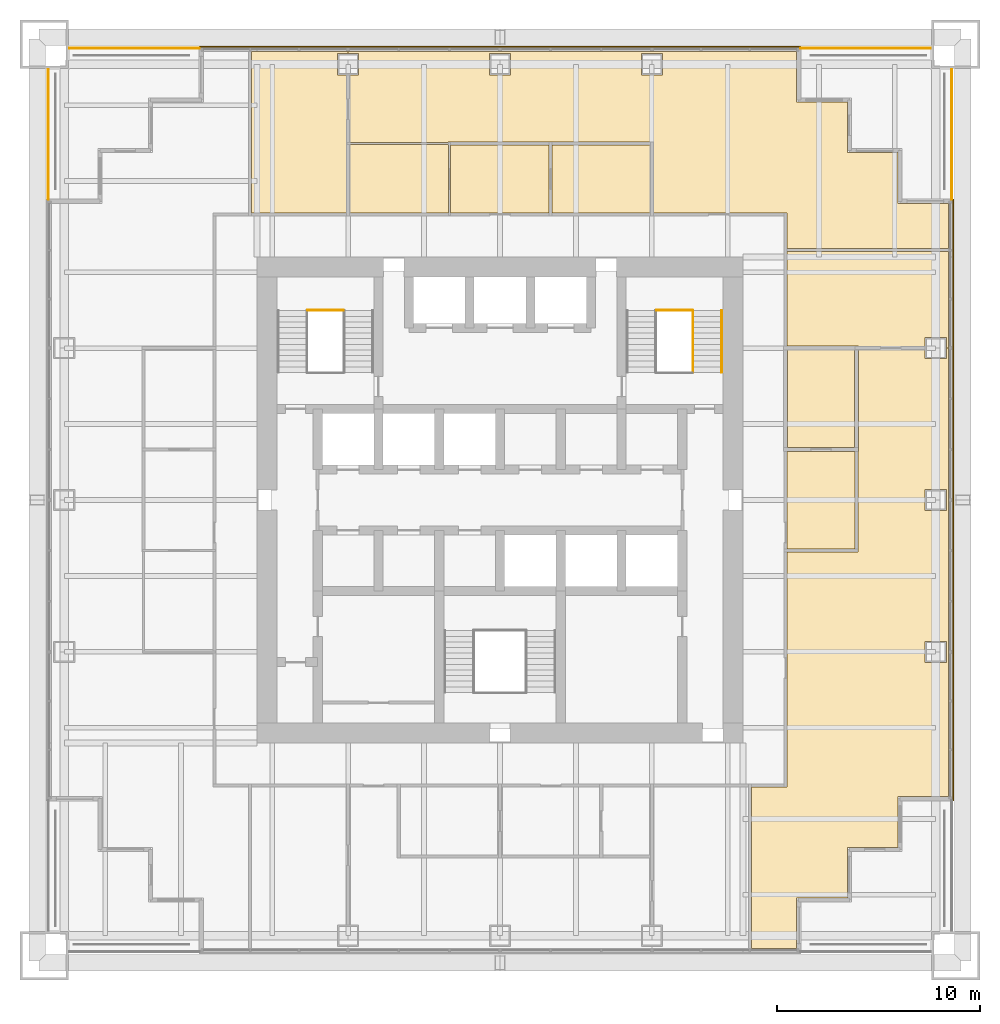
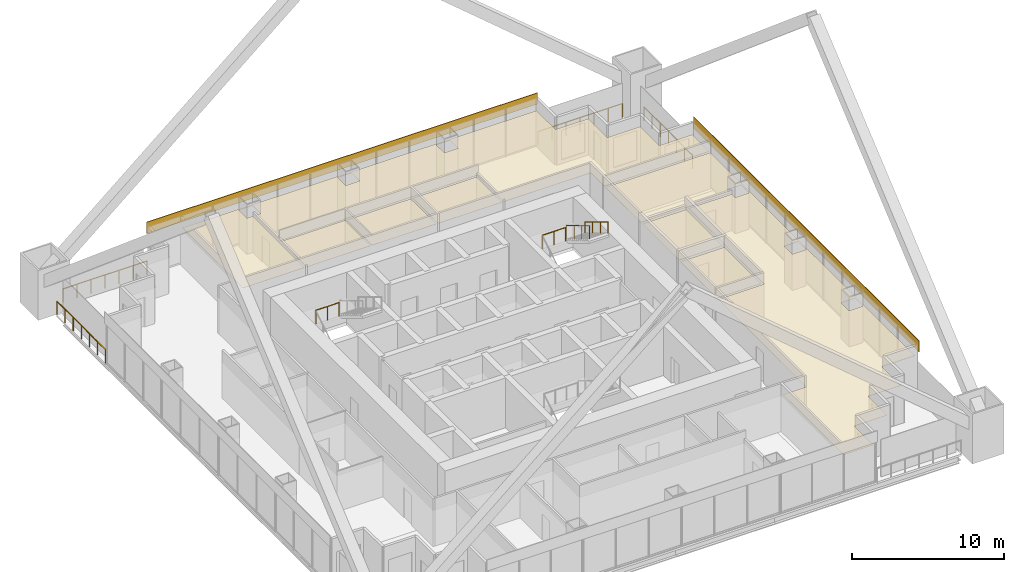
# One storey, part 19 of 19: 11 coverings, 8 railings.
"""IFC4 building model written with IfcOpenShell, lengths in metres."""

from ifc_helpers import new_model, si_unit, direction, frame, origin, origin_2d, place, context, subcontext, project, spatial, polyline, rectangle, circle, outline, extrude, material, layer, layer_set, type_object, element, save


model = new_model("IFC4")

# Units and contexts
model_context = context("Model", 3, precision=1e-05, world=origin(), true_north=direction((0.0, 1.0)))
body_context = subcontext(model_context, "Body", "Model", "MODEL_VIEW")
ifc_project = project(units=[si_unit("LENGTHUNIT", "METRE"), si_unit("AREAUNIT", "SQUARE_METRE"), si_unit("VOLUMEUNIT", "CUBIC_METRE"), si_unit("PLANEANGLEUNIT", "RADIAN"), si_unit("MASSUNIT", "GRAM", prefix="KILO")], contexts=[model_context])

# Site, building, storey
site_placement = place(None, origin())
site = spatial("IfcSite", under=ifc_project, at=site_placement, CompositionType="ELEMENT")
building_placement = place(site_placement, origin())
building = spatial("IfcBuilding", under=site, at=building_placement, Name="Tarangal Relay Tower", CompositionType="ELEMENT")
storey_placement = place(building_placement, frame((0.0, 0.0, 213.89990234375)))
storey = spatial("IfcBuildingStorey", under=building, at=storey_placement, Name="L45", CompositionType="ELEMENT", Elevation=213.89990234375)

# Coverings
ifc_material_1 = material(Name="Black anodised aluminium cladding", Category="aluminium")
ifc_layer_1 = layer(ifc_material_1, 0.050048828125)
ifc_layer_set_1 = layer_set([ifc_layer_1], Name="Black metal spandrel band")
covering_type_1 = type_object("IfcCoveringType", Name="Black metal spandrel band", PredefinedType="CLADDING", material=ifc_layer_set_1)
for number, where, z_axis, x_axis, name in (
    (1, (0.0, 22.375, 3.250244140625), (0.0, 0.0, 1.0), (1.0, 0.0, 0.0), "Spandrel band SB1 N L45"),
    (2, (22.375, 0.0, 3.250244140625), (0.0, 0.0, 1.0), (0.0, -1.0, 0.0), "Spandrel band SB1 E L45"),
):
    element("IfcCovering", number, at=place(storey_placement, frame(where, z_axis=z_axis, x_axis=x_axis)), inside=storey, type_object=covering_type_1, Name=name, PredefinedType="CLADDING", context=body_context, shape_type="SweptSolid", body=[
        extrude(rectangle(XDim=29.699951171875, YDim=0.050048828125, at=origin_2d()), origin(), (0.0, 0.0, 1.0), 0.89990234375),
    ])

# Railings
ifc_material_2 = material(Name="Steel guard, black finish", Category="steel")
railing_type_1 = type_object("IfcRailingType", Name="Stair guard 1100", PredefinedType="GUARDRAIL", material=ifc_material_2)
railing_1_placement = place(storey_placement, frame((-9.5, 9.376953125, 2.0)))
element("IfcRailing", 3, at=railing_1_placement, inside=storey, type_object=railing_type_1, Name="Stair ST-A landing guard GR1 L45", PredefinedType="GUARDRAIL", context=body_context, shape_type="SweptSolid", body=[
    extrude(circle(Radius=0.02392578125, at=origin_2d()), frame((0.0, 0.0, 1.076171875), z_axis=(1.0, 0.0, 0.0), x_axis=(0.0, 1.0, 0.0)), (0.0, 0.0, 1.0), 1.77490234375),
    extrude(circle(Radius=0.02099609375, at=origin_2d()), origin(), (0.0, 0.0, 1.0), 1.052001953125),
    extrude(circle(Radius=0.02099609375, at=origin_2d()), frame((0.887451171875, 0.0, 0.0)), (0.0, 0.0, 1.0), 1.052001953125),
    extrude(circle(Radius=0.02099609375, at=origin_2d()), frame((1.77490234375, 0.0, 0.0)), (0.0, 0.0, 1.0), 1.052001953125),
])
railing_2_placement = place(storey_placement, frame((9.530029296875, 9.346923828125, 2.166748046875)))
element("IfcRailing", 4, at=railing_2_placement, inside=storey, type_object=railing_type_1, Name="Stair ST-B guard GR1 L45 flight 2", PredefinedType="GUARDRAIL", context=body_context, shape_type="SweptSolid", body=[
    extrude(circle(Radius=0.02392578125, at=origin_2d()), frame((0.0, 0.0, 1.076171875), z_axis=(0.0, -0.85685617095, 0.515555527858), x_axis=(1.0, 0.0, 0.0)), (0.0, 0.0, 1.0), 3.555908203125),
    extrude(circle(Radius=0.02099609375, at=origin_2d()), origin(), (0.0, 0.0, 1.0), 1.052001953125),
    extrude(circle(Radius=0.02099609375, at=origin_2d()), frame((0.0, -1.015625, 0.611083984375)), (0.0, 0.0, 1.0), 1.052001953125),
    extrude(circle(Radius=0.02099609375, at=origin_2d()), frame((0.0, -2.03125, 1.22216796875)), (0.0, 0.0, 1.0), 1.052001953125),
    extrude(circle(Radius=0.02099609375, at=origin_2d()), frame((0.0, -3.046875, 1.833251953125)), (0.0, 0.0, 1.0), 1.052001953125),
])
railing_3_placement = place(storey_placement, frame((7.72509765625, 9.376953125, 2.0)))
element("IfcRailing", 5, at=railing_3_placement, inside=storey, type_object=railing_type_1, Name="Stair ST-B landing guard GR1 L45", PredefinedType="GUARDRAIL", context=body_context, shape_type="SweptSolid", body=[
    extrude(circle(Radius=0.02392578125, at=origin_2d()), frame((0.0, 0.0, 1.076171875), z_axis=(1.0, 0.0, 0.0), x_axis=(0.0, 1.0, 0.0)), (0.0, 0.0, 1.0), 1.77490234375),
    extrude(circle(Radius=0.02099609375, at=origin_2d()), origin(), (0.0, 0.0, 1.0), 1.052001953125),
    extrude(circle(Radius=0.02099609375, at=origin_2d()), frame((0.887451171875, 0.0, 0.0)), (0.0, 0.0, 1.0), 1.052001953125),
    extrude(circle(Radius=0.02099609375, at=origin_2d()), frame((1.77490234375, 0.0, 0.0)), (0.0, 0.0, 1.0), 1.052001953125),
])
ifc_material_3 = material(Name="Steel handrail, black finish", Category="steel")
railing_type_2 = type_object("IfcRailingType", Name="Stair handrail 900", PredefinedType="HANDRAIL", material=ifc_material_3)
railing_4_placement = place(storey_placement, frame((10.93994140625, 9.346923828125, 2.166748046875)))
element("IfcRailing", 6, at=railing_4_placement, inside=storey, type_object=railing_type_2, Name="Stair ST-B handrail HR1 L45 flight 2", PredefinedType="HANDRAIL", context=body_context, shape_type="SweptSolid", body=[
    extrude(circle(Radius=0.02392578125, at=origin_2d()), frame((0.0, 0.0, 0.8759765625), z_axis=(0.0, -0.85685617095, 0.515555527858), x_axis=(1.0, 0.0, 0.0)), (0.0, 0.0, 1.0), 3.555908203125),
    extrude(circle(Radius=0.02099609375, at=origin_2d()), origin(), (0.0, 0.0, 1.0), 0.851806640625),
    extrude(circle(Radius=0.02099609375, at=origin_2d()), frame((0.0, -1.015625, 0.611083984375)), (0.0, 0.0, 1.0), 0.851806640625),
    extrude(circle(Radius=0.02099609375, at=origin_2d()), frame((0.0, -2.03125, 1.22216796875)), (0.0, 0.0, 1.0), 0.851806640625),
    extrude(circle(Radius=0.02099609375, at=origin_2d()), frame((0.0, -3.046875, 1.833251953125)), (0.0, 0.0, 1.0), 0.851806640625),
])

# Coverings
ifc_material_4 = material(Name="Mineral fibre ceiling tiles", Category="gypsum")
ifc_layer_2 = layer(ifc_material_4, 0.02001953125)
ifc_layer_set_2 = layer_set([ifc_layer_2], Name="Suspended ceiling")
covering_type_2 = type_object("IfcCoveringType", Name="Suspended ceiling", PredefinedType="CEILING", material=ifc_layer_set_2)
covering_1_placement = place(storey_placement, frame((0.0, 0.0, 2.900146484375)))
element("IfcCovering", 7, at=covering_1_placement, inside=storey, type_object=covering_type_2, Name="Suspended ceiling CL1 L45-02", PredefinedType="CEILING", context=body_context, shape_type="SweptSolid", body=[
    extrude(outline(polyline([(-7.5, 22.14990234375), (-12.258056640625, 22.14990234375), (-12.258056640625, 14.175048828125), (-7.574951171875, 14.175048828125), (-7.574951171875, 20.989990234375), (-8.02490234375, 20.989990234375), (-8.02490234375, 22.0400390625), (-7.5, 22.0400390625), (-7.5, 22.14990234375)])), origin(), (0.0, 0.0, 1.0), 0.02001953125),
])
covering_2_placement = place(storey_placement, frame((0.0, 0.0, 2.900146484375)))
element("IfcCovering", 8, at=covering_2_placement, inside=storey, type_object=covering_type_2, Name="Suspended ceiling CL1 L45-03", PredefinedType="CEILING", context=body_context, shape_type="SweptSolid", body=[
    extrude(outline(polyline([(-7.425048828125, 14.175048828125), (-2.550048828125, 14.175048828125), (-2.550048828125, 17.52490234375), (-2.574951171875, 17.52490234375), (-2.574951171875, 17.550048828125), (-7.425048828125, 17.550048828125), (-7.425048828125, 14.175048828125)])), origin(), (0.0, 0.0, 1.0), 0.02001953125),
])
covering_3_placement = place(storey_placement, frame((0.0, 0.0, 2.900146484375)))
element("IfcCovering", 9, at=covering_3_placement, inside=storey, type_object=covering_type_2, Name="Suspended ceiling CL1 L45-04", PredefinedType="CEILING", context=body_context, shape_type="SweptSolid", body=[
    extrude(outline(polyline([(-2.449951171875, 14.175048828125), (2.425048828125, 14.175048828125), (2.425048828125, 17.52490234375), (-2.449951171875, 17.52490234375), (-2.449951171875, 14.175048828125)])), origin(), (0.0, 0.0, 1.0), 0.02001953125),
])
covering_4_placement = place(storey_placement, frame((0.0, 0.0, 2.900146484375)))
element("IfcCovering", 10, at=covering_4_placement, inside=storey, type_object=covering_type_2, Name="Suspended ceiling CL1 L45-05", PredefinedType="CEILING", context=body_context, shape_type="SweptSolid", body=[
    extrude(outline(polyline([(7.425048828125, 14.175048828125), (7.425048828125, 17.52490234375), (2.574951171875, 17.52490234375), (2.574951171875, 14.175048828125), (7.425048828125, 14.175048828125)])), origin(), (0.0, 0.0, 1.0), 0.02001953125),
])
covering_5_placement = place(storey_placement, frame((0.0, 0.0, 2.900146484375)))
element("IfcCovering", 11, at=covering_5_placement, inside=storey, type_object=covering_type_2, Name="Suspended ceiling CL1 L45-06", PredefinedType="CEILING", context=body_context, shape_type="SweptSolid", body=[
    extrude(outline(polyline([(22.14990234375, 7.5), (22.14990234375, 12.258056640625), (14.175048828125, 12.258056640625), (14.175048828125, 7.60009765625), (17.699951171875, 7.60009765625), (17.699951171875, 7.574951171875), (20.989990234375, 7.574951171875), (20.989990234375, 8.02490234375), (22.0400390625, 8.02490234375), (22.0400390625, 7.5), (22.14990234375, 7.5)])), origin(), (0.0, 0.0, 1.0), 0.02001953125),
])
covering_6_placement = place(storey_placement, frame((0.0, 0.0, 2.900146484375)))
element("IfcCovering", 12, at=covering_6_placement, inside=storey, type_object=covering_type_2, Name="Suspended ceiling CL1 L45-07", PredefinedType="CEILING", context=body_context, shape_type="SweptSolid", body=[
    extrude(outline(polyline([(17.5, 7.39990234375), (14.199951171875, 7.39990234375), (14.199951171875, 2.60009765625), (17.5, 2.60009765625), (17.5, 7.39990234375)])), origin(), (0.0, 0.0, 1.0), 0.02001953125),
])
covering_7_placement = place(storey_placement, frame((0.0, 0.0, 2.900146484375)))
element("IfcCovering", 13, at=covering_7_placement, inside=storey, type_object=covering_type_2, Name="Suspended ceiling CL1 L45-08", PredefinedType="CEILING", context=body_context, shape_type="SweptSolid", body=[
    extrude(outline(polyline([(14.175048828125, 2.39990234375), (14.175048828125, -2.425048828125), (17.52490234375, -2.425048828125), (17.52490234375, 2.39990234375), (14.175048828125, 2.39990234375)])), origin(), (0.0, 0.0, 1.0), 0.02001953125),
])
covering_8_placement = place(storey_placement, frame((0.0, 0.0, 2.900146484375)))
element("IfcCovering", 14, at=covering_8_placement, inside=storey, type_object=covering_type_2, Name="Suspended ceiling CL1 L45-18", PredefinedType="CEILING", context=body_context, shape_type="SweptSolid", body=[
    extrude(outline(polyline([(-7.5, 22.14990234375), (-7.5, 22.0400390625), (-6.97509765625, 22.0400390625), (-6.97509765625, 20.989990234375), (-7.425048828125, 20.989990234375), (-7.425048828125, 17.64990234375), (-2.574951171875, 17.64990234375), (-2.574951171875, 17.675048828125), (7.574951171875, 17.675048828125), (7.574951171875, 14.175048828125), (14.175048828125, 14.175048828125), (14.175048828125, 12.407958984375), (22.14990234375, 12.407958984375), (22.14990234375, 14.64990234375), (19.64990234375, 14.64990234375), (19.64990234375, 17.14990234375), (17.14990234375, 17.14990234375), (17.14990234375, 19.64990234375), (14.64990234375, 19.64990234375), (14.64990234375, 22.14990234375), (-7.5, 22.14990234375)]), holes=[polyline([(-0.52490234375, 20.989990234375), (0.52490234375, 20.989990234375), (0.52490234375, 22.0400390625), (-0.52490234375, 22.0400390625), (-0.52490234375, 20.989990234375)]), polyline([(6.97509765625, 20.989990234375), (8.02490234375, 20.989990234375), (8.02490234375, 22.0400390625), (6.97509765625, 22.0400390625), (6.97509765625, 20.989990234375)])]), origin(), (0.0, 0.0, 1.0), 0.02001953125),
])
covering_9_placement = place(storey_placement, frame((0.0, 0.0, 2.900146484375)))
element("IfcCovering", 15, at=covering_9_placement, inside=storey, type_object=covering_type_2, Name="Suspended ceiling CL1 L45-19", PredefinedType="CEILING", context=body_context, shape_type="SweptSolid", body=[
    extrude(outline(polyline([(22.14990234375, 7.5), (22.0400390625, 7.5), (22.0400390625, 6.97509765625), (20.989990234375, 6.97509765625), (20.989990234375, 7.425048828125), (17.699951171875, 7.425048828125), (17.699951171875, 2.39990234375), (17.675048828125, 2.39990234375), (17.675048828125, -2.574951171875), (14.175048828125, -2.574951171875), (14.175048828125, -14.175048828125), (12.407958984375, -14.175048828125), (12.407958984375, -22.14990234375), (14.64990234375, -22.14990234375), (14.64990234375, -19.64990234375), (17.14990234375, -19.64990234375), (17.14990234375, -17.14990234375), (19.64990234375, -17.14990234375), (19.64990234375, -14.64990234375), (22.14990234375, -14.64990234375), (22.14990234375, 7.5)]), holes=[polyline([(22.0400390625, -8.02490234375), (22.0400390625, -6.97509765625), (20.989990234375, -6.97509765625), (20.989990234375, -8.02490234375), (22.0400390625, -8.02490234375)]), polyline([(20.989990234375, -0.52490234375), (22.0400390625, -0.52490234375), (22.0400390625, 0.52490234375), (20.989990234375, 0.52490234375), (20.989990234375, -0.52490234375)])]), origin(), (0.0, 0.0, 1.0), 0.02001953125),
])

# Railings
ifc_material_5 = material(Name="Black steel guard with glass infill", Category="steel")
railing_type_3 = type_object("IfcRailingType", Name="Terrace guard 1100", PredefinedType="GUARDRAIL", material=ifc_material_5)
railing_5_placement = place(storey_placement, frame((14.85009765625, 22.300048828125, 0.0)))
element("IfcRailing", 16, at=railing_5_placement, inside=storey, type_object=railing_type_3, Name="Terrace guard GR2 NE L45", PredefinedType="GUARDRAIL", context=body_context, shape_type="SweptSolid", body=[
    extrude(circle(Radius=0.02392578125, at=origin_2d()), frame((0.0, 0.0, 1.076171875), z_axis=(1.0, 0.0, 0.0), x_axis=(0.0, 1.0, 0.0)), (0.0, 0.0, 1.0), 6.39990234375),
    extrude(circle(Radius=0.02099609375, at=origin_2d()), origin(), (0.0, 0.0, 1.0), 1.052001953125),
    extrude(circle(Radius=0.02099609375, at=origin_2d()), frame((1.066650390625, 0.0, 0.0)), (0.0, 0.0, 1.0), 1.052001953125),
    extrude(circle(Radius=0.02099609375, at=origin_2d()), frame((2.13330078125, 0.0, 0.0)), (0.0, 0.0, 1.0), 1.052001953125),
    extrude(circle(Radius=0.02099609375, at=origin_2d()), frame((3.199951171875, 0.0, 0.0)), (0.0, 0.0, 1.0), 1.052001953125),
    extrude(circle(Radius=0.02099609375, at=origin_2d()), frame((4.2666015625, 0.0, 0.0)), (0.0, 0.0, 1.0), 1.052001953125),
    extrude(circle(Radius=0.02099609375, at=origin_2d()), frame((5.333251953125, 0.0, 0.0)), (0.0, 0.0, 1.0), 1.052001953125),
    extrude(circle(Radius=0.02099609375, at=origin_2d()), frame((6.39990234375, 0.0, 0.0)), (0.0, 0.0, 1.0), 1.052001953125),
])
railing_6_placement = place(storey_placement, frame((22.300048828125, 21.25, 0.0)))
element("IfcRailing", 17, at=railing_6_placement, inside=storey, type_object=railing_type_3, Name="Terrace guard GR2 NE L45", PredefinedType="GUARDRAIL", context=body_context, shape_type="SweptSolid", body=[
    extrude(circle(Radius=0.02392578125, at=origin_2d()), frame((0.0, 0.0, 1.076171875), z_axis=(0.0, -1.0, 0.0), x_axis=(1.0, 0.0, 0.0)), (0.0, 0.0, 1.0), 6.39990234375),
    extrude(circle(Radius=0.02099609375, at=origin_2d()), origin(), (0.0, 0.0, 1.0), 1.052001953125),
    extrude(circle(Radius=0.02099609375, at=origin_2d()), frame((0.0, -1.066650390625, 0.0)), (0.0, 0.0, 1.0), 1.052001953125),
    extrude(circle(Radius=0.02099609375, at=origin_2d()), frame((0.0, -2.13330078125, 0.0)), (0.0, 0.0, 1.0), 1.052001953125),
    extrude(circle(Radius=0.02099609375, at=origin_2d()), frame((0.0, -3.199951171875, 0.0)), (0.0, 0.0, 1.0), 1.052001953125),
    extrude(circle(Radius=0.02099609375, at=origin_2d()), frame((0.0, -4.2666015625, 0.0)), (0.0, 0.0, 1.0), 1.052001953125),
    extrude(circle(Radius=0.02099609375, at=origin_2d()), frame((0.0, -5.333251953125, 0.0)), (0.0, 0.0, 1.0), 1.052001953125),
    extrude(circle(Radius=0.02099609375, at=origin_2d()), frame((0.0, -6.39990234375, 0.0)), (0.0, 0.0, 1.0), 1.052001953125),
])
railing_7_placement = place(storey_placement, frame((-22.300048828125, 14.85009765625, 0.0)))
element("IfcRailing", 18, at=railing_7_placement, inside=storey, type_object=railing_type_3, Name="Terrace guard GR2 NW L45", PredefinedType="GUARDRAIL", context=body_context, shape_type="SweptSolid", body=[
    extrude(circle(Radius=0.02392578125, at=origin_2d()), frame((0.0, 0.0, 1.076171875), z_axis=(0.0, 1.0, 0.0), x_axis=(-1.0, 0.0, 0.0)), (0.0, 0.0, 1.0), 6.39990234375),
    extrude(circle(Radius=0.02099609375, at=origin_2d()), origin(), (0.0, 0.0, 1.0), 1.052001953125),
    extrude(circle(Radius=0.02099609375, at=origin_2d()), frame((0.0, 1.066650390625, 0.0)), (0.0, 0.0, 1.0), 1.052001953125),
    extrude(circle(Radius=0.02099609375, at=origin_2d()), frame((0.0, 2.13330078125, 0.0)), (0.0, 0.0, 1.0), 1.052001953125),
    extrude(circle(Radius=0.02099609375, at=origin_2d()), frame((0.0, 3.199951171875, 0.0)), (0.0, 0.0, 1.0), 1.052001953125),
    extrude(circle(Radius=0.02099609375, at=origin_2d()), frame((0.0, 4.2666015625, 0.0)), (0.0, 0.0, 1.0), 1.052001953125),
    extrude(circle(Radius=0.02099609375, at=origin_2d()), frame((0.0, 5.333251953125, 0.0)), (0.0, 0.0, 1.0), 1.052001953125),
    extrude(circle(Radius=0.02099609375, at=origin_2d()), frame((0.0, 6.39990234375, 0.0)), (0.0, 0.0, 1.0), 1.052001953125),
])
railing_8_placement = place(storey_placement, frame((-21.25, 22.300048828125, 0.0)))
element("IfcRailing", 19, at=railing_8_placement, inside=storey, type_object=railing_type_3, Name="Terrace guard GR2 NW L45", PredefinedType="GUARDRAIL", context=body_context, shape_type="SweptSolid", body=[
    extrude(circle(Radius=0.02392578125, at=origin_2d()), frame((0.0, 0.0, 1.076171875), z_axis=(1.0, 0.0, 0.0), x_axis=(0.0, 1.0, 0.0)), (0.0, 0.0, 1.0), 6.39990234375),
    extrude(circle(Radius=0.02099609375, at=origin_2d()), origin(), (0.0, 0.0, 1.0), 1.052001953125),
    extrude(circle(Radius=0.02099609375, at=origin_2d()), frame((1.066650390625, 0.0, 0.0)), (0.0, 0.0, 1.0), 1.052001953125),
    extrude(circle(Radius=0.02099609375, at=origin_2d()), frame((2.13330078125, 0.0, 0.0)), (0.0, 0.0, 1.0), 1.052001953125),
    extrude(circle(Radius=0.02099609375, at=origin_2d()), frame((3.199951171875, 0.0, 0.0)), (0.0, 0.0, 1.0), 1.052001953125),
    extrude(circle(Radius=0.02099609375, at=origin_2d()), frame((4.2666015625, 0.0, 0.0)), (0.0, 0.0, 1.0), 1.052001953125),
    extrude(circle(Radius=0.02099609375, at=origin_2d()), frame((5.333251953125, 0.0, 0.0)), (0.0, 0.0, 1.0), 1.052001953125),
    extrude(circle(Radius=0.02099609375, at=origin_2d()), frame((6.39990234375, 0.0, 0.0)), (0.0, 0.0, 1.0), 1.052001953125),
])

save(model, "model.ifc")
